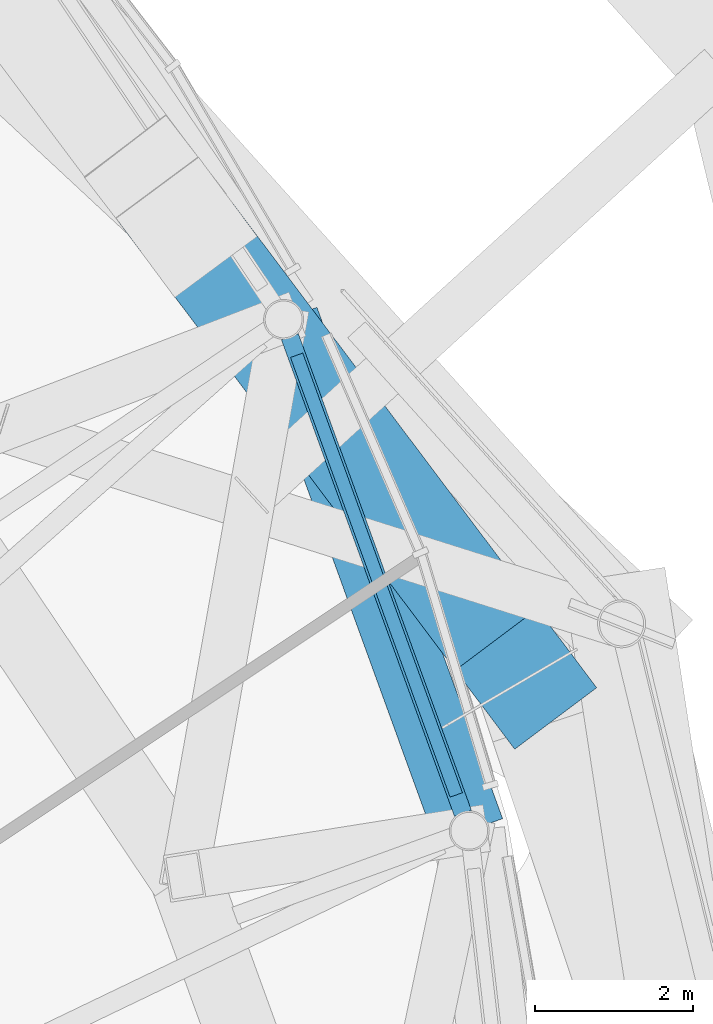
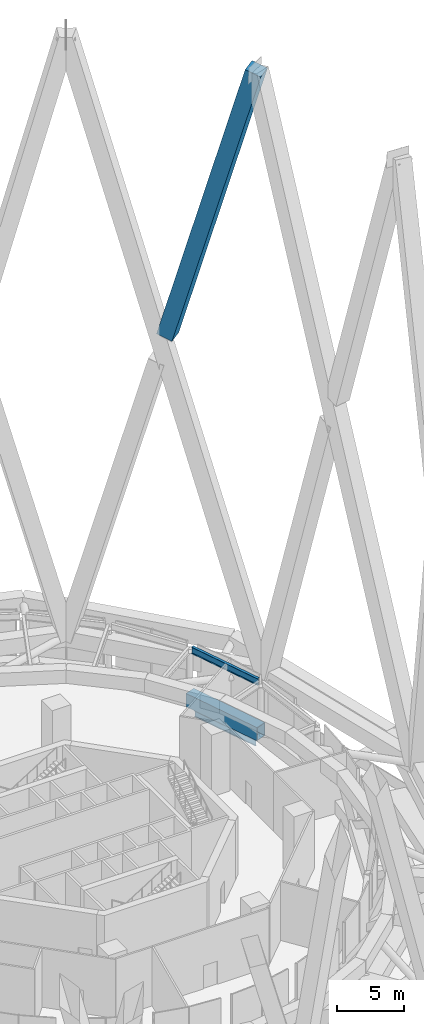
# One storey, part 33 of 48: 3 beams, 1 member.
"""IFC4 building model written with IfcOpenShell, lengths in metres."""

from ifc_helpers import new_model, si_unit, direction, frame, origin, origin_2d, place, context, subcontext, project, spatial, rectangle, hollow_rectangle, i_section, extrude, material, material_profile, profile_set, type_object, element, save


model = new_model("IFC4")

# Units and contexts
model_context = context("Model", 3, precision=1e-05, world=origin(), true_north=direction((0.0, 1.0)))
body_context = subcontext(model_context, "Body", "Model", "MODEL_VIEW")
ifc_project = project(units=[si_unit("LENGTHUNIT", "METRE"), si_unit("AREAUNIT", "SQUARE_METRE"), si_unit("VOLUMEUNIT", "CUBIC_METRE"), si_unit("PLANEANGLEUNIT", "RADIAN"), si_unit("MASSUNIT", "GRAM", prefix="KILO")], contexts=[model_context])

# Site, building, storey
site_placement = place(None, origin())
site = spatial("IfcSite", under=ifc_project, at=site_placement, CompositionType="ELEMENT")
building_placement = place(site_placement, origin())
building = spatial("IfcBuilding", under=site, at=building_placement, Name="Nagisa Residences", CompositionType="ELEMENT")
storey_placement = place(building_placement, frame((0.0, 0.0, 252.89990234375)))
storey = spatial("IfcBuildingStorey", under=building, at=storey_placement, Name="L64", CompositionType="ELEMENT", Elevation=252.89990234375)

# Beam
ifc_material_1 = material(Name="Steel ASTM A572 Gr 50", Category="steel")
ifc_material_profile_1 = material_profile(ifc_material_1, hollow_rectangle(XDim=0.89990234375, YDim=1.199951171875, WallThickness=0.0400390625, at=origin_2d()), Name="BX 900x1200x40")
ifc_profile_set_1 = profile_set([ifc_material_profile_1], Name="Steel ASTM A572 Gr 50")
beam_type_1 = type_object("IfcBeamType", Name="Belt chord 5 BX 900x1200x40", PredefinedType="BEAM", material=ifc_profile_set_1)
beam_1_placement = place(storey_placement, frame((20.966796875, 10.077392578125, 0.60009765625), z_axis=(-0.341254340282, 0.93997099702, 0.0), x_axis=(-0.93997099702, -0.341254340282, 0.0)))
element("IfcBeam", 1, at=beam_1_placement, inside=storey, type_object=beam_type_1, Name="beam:L64:bt5b02", PredefinedType="BEAM", context=body_context, shape_type="SweptSolid", body=[
    extrude(hollow_rectangle(XDim=0.89990234375, YDim=1.199951171875, WallThickness=0.0400390625, at=origin_2d()), origin(), (0.0, 0.0, 1.0), 6.8994140625),
])

# Member
ifc_material_2 = material(Name="Concrete C80", Category="concrete")
ifc_material_profile_2 = material_profile(ifc_material_2, rectangle(XDim=1.300048828125, YDim=1.300048828125, at=origin_2d()), Name="C80 1300x1300")
ifc_profile_set_2 = profile_set([ifc_material_profile_2], Name="Concrete C80")
member_type = type_object("IfcMemberType", Name="Cage diagonal 6 C80 1300x1300", PredefinedType="BRACE", material=ifc_profile_set_2)
member_placement = place(storey_placement, frame((17.3837890625, 17.7294921875, 33.370849609375), z_axis=(0.15994976748, -0.212906354704, 0.963891568596), x_axis=(0.799513055958, 0.60064871044, 0.0)))
element("IfcMember", 2, at=member_placement, inside=storey, type_object=member_type, Name="mem:L64:cg6d004b", PredefinedType="BRACE", context=body_context, shape_type="SweptSolid", body=[
    extrude(rectangle(XDim=1.300048828125, YDim=1.300048828125, at=origin_2d()), origin(), (0.0, 0.0, 1.0), 26.900634765625),
])

# Beams
ifc_material_3 = material(Name="Steel ASTM A572 Gr 50", Category="steel")
ifc_material_profile_3 = material_profile(ifc_material_3, i_section(OverallWidth=0.22802734375, OverallDepth=0.60302734375, WebThickness=0.010498046875, FlangeThickness=0.014892578125, at=origin_2d()), Name="W610x101")
ifc_profile_set_3 = profile_set([ifc_material_profile_3], Name="Steel ASTM A572 Gr 50")
beam_type_2 = type_object("IfcBeamType", Name="Garden edge beam W610x101", PredefinedType="BEAM", material=ifc_profile_set_3)
beam_2_placement = place(storey_placement, frame((20.886962890625, 10.29736328125, 5.03857421875), z_axis=(-0.34126145119, 0.939968415391, 0.0), x_axis=(-0.939968415391, -0.34126145119, 0.0)))
element("IfcBeam", 3, at=beam_2_placement, inside=storey, type_object=beam_type_2, Name="beam:L64:bt5ge02", PredefinedType="BEAM", context=body_context, shape_type="SweptSolid", body=[
    extrude(i_section(OverallWidth=0.22802734375, OverallDepth=0.60302734375, WebThickness=0.010498046875, FlangeThickness=0.014892578125, at=origin_2d()), origin(), (0.0, 0.0, 1.0), 6.431396484375),
])
ifc_material_4 = material(Name="Steel ASTM A572 Gr 50", Category="steel")
ifc_material_profile_4 = material_profile(ifc_material_4, i_section(OverallWidth=0.166015625, OverallDepth=0.534912109375, WebThickness=0.01025390625, FlangeThickness=0.0166015625, at=origin_2d()), Name="W530x85")
ifc_profile_set_4 = profile_set([ifc_material_profile_4], Name="Steel ASTM A572 Gr 50")
beam_type_3 = type_object("IfcBeamType", Name="Perimeter ring beam W530x85", PredefinedType="BEAM", material=ifc_profile_set_4)
beam_3_placement = place(storey_placement, frame((20.802001953125, 10.53173828125, -0.617431640625), z_axis=(-0.34127712749, 0.939962723863, 0.0), x_axis=(-0.939962723863, -0.34127712749, 0.0)))
element("IfcBeam", 4, at=beam_3_placement, inside=storey, type_object=beam_type_3, Name="beam:L64:pb02", PredefinedType="BEAM", context=body_context, shape_type="SweptSolid", body=[
    extrude(i_section(OverallWidth=0.166015625, OverallDepth=0.534912109375, WebThickness=0.01025390625, FlangeThickness=0.0166015625, at=origin_2d()), origin(), (0.0, 0.0, 1.0), 5.9326171875),
])

save(model, "model.ifc")
